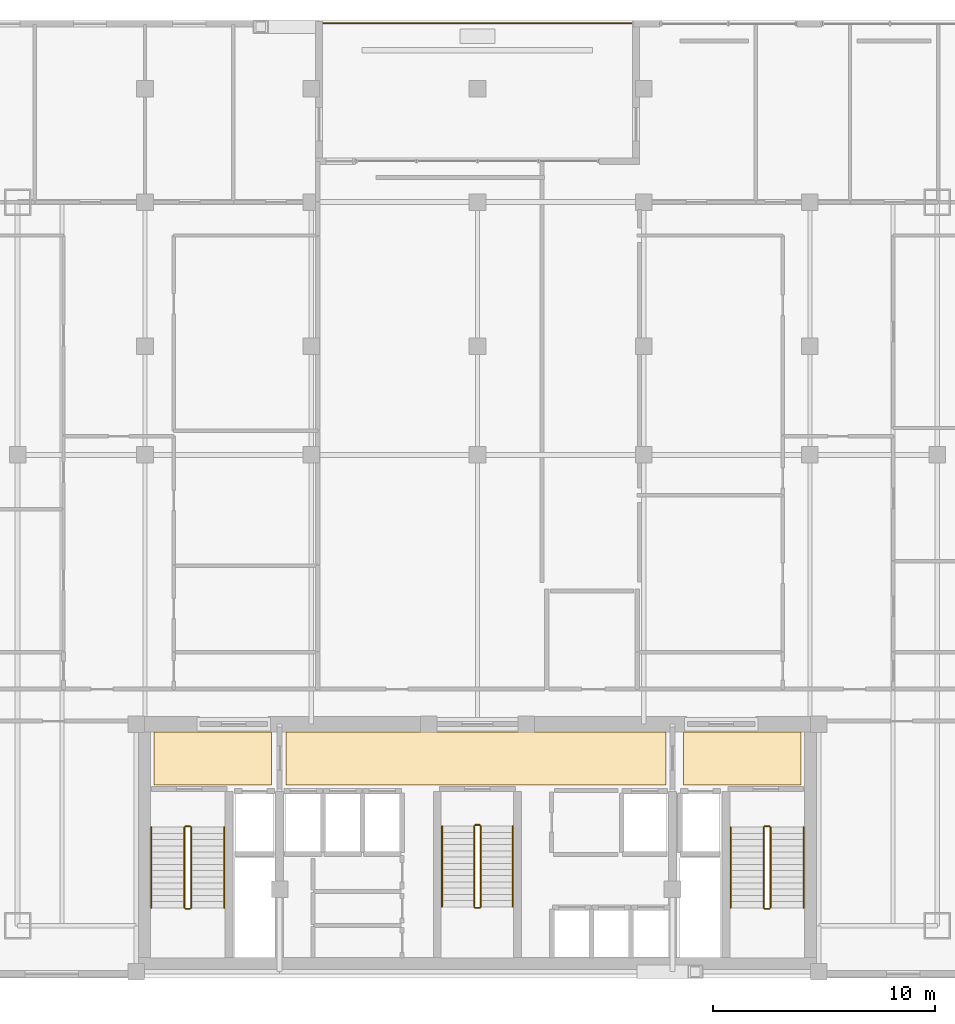
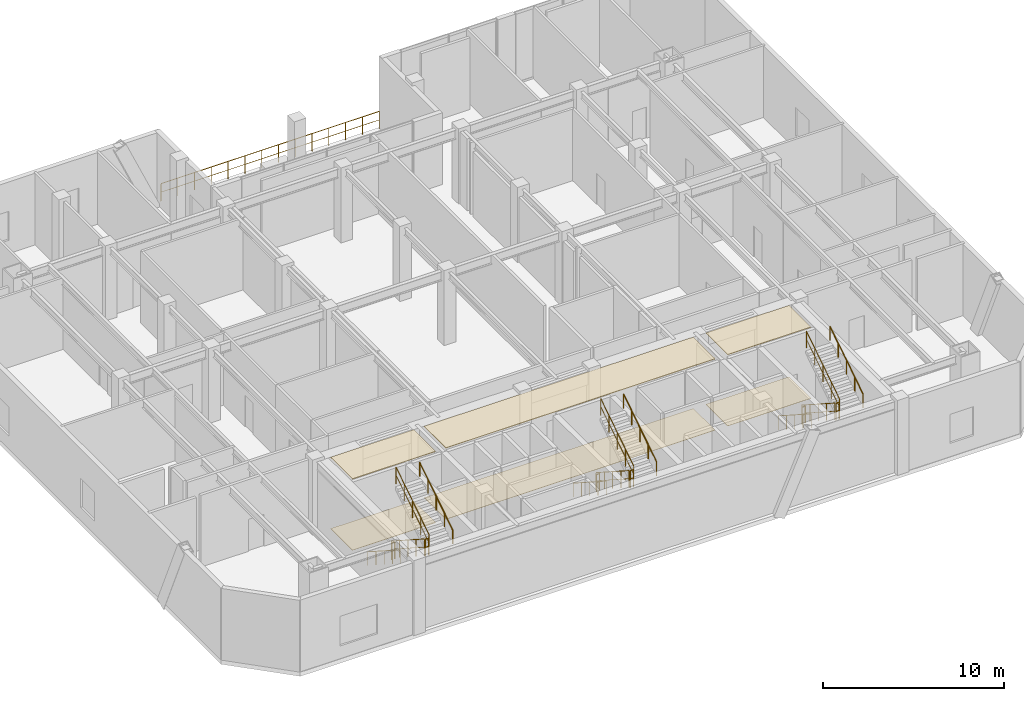
# One storey, part 11 of 11: 19 railings, 6 coverings.
"""IFC4 building model written with IfcOpenShell, lengths in metres."""

from ifc_helpers import new_model, si_unit, direction, frame, origin, origin_2d, place, context, subcontext, project, spatial, polyline, circle, outline, extrude, material, layer, layer_set, type_object, element, save


model = new_model("IFC4")

# Units and contexts
model_context = context("Model", 3, precision=1e-05, world=origin(), true_north=direction((0.0, 1.0)))
body_context = subcontext(model_context, "Body", "Model", "MODEL_VIEW")
ifc_project = project(units=[si_unit("LENGTHUNIT", "METRE"), si_unit("AREAUNIT", "SQUARE_METRE"), si_unit("VOLUMEUNIT", "CUBIC_METRE"), si_unit("PLANEANGLEUNIT", "RADIAN"), si_unit("MASSUNIT", "GRAM", prefix="KILO")], contexts=[model_context])

# Site, building, storey
site_placement = place(None, origin())
site = spatial("IfcSite", under=ifc_project, at=site_placement, CompositionType="ELEMENT")
building_placement = place(site_placement, origin())
building = spatial("IfcBuilding", under=site, at=building_placement, Name="Ventersveld Concourse Tower", CompositionType="ELEMENT")
storey_placement = place(building_placement, frame((0.0, 0.0, 140.14990234375)))
storey = spatial("IfcBuildingStorey", under=building, at=storey_placement, Name="L34", CompositionType="ELEMENT", Elevation=140.14990234375)

# Coverings
ifc_material_1 = material(Name="Mineral-fibre acoustic ceiling tile", Category="gypsum")
ifc_layer_1 = layer(ifc_material_1, 0.0400390625)
ifc_layer_set_1 = layer_set([ifc_layer_1], Name="Mineral-fibre acoustic ceiling tile")
covering_type_1 = type_object("IfcCoveringType", Name="COV-CEIL-ACOUSTIC", PredefinedType="CEILING", material=ifc_layer_set_1)
covering_1_placement = place(storey_placement, frame((0.0, 0.0, 4.7900390625)))
element("IfcCovering", 1, at=covering_1_placement, inside=storey, type_object=covering_type_1, Name="L34 North Lift Lobby Acoustic Ceiling", PredefinedType="CEILING", context=body_context, shape_type="SweptSolid", body=[
    extrude(outline(polyline([(20.10009765625, 8.699951171875), (37.25, 8.699951171875), (37.25, 11.10009765625), (20.10009765625, 11.10009765625), (20.10009765625, 8.699951171875)])), origin(), (0.0, 0.0, 1.0), 0.0400390625),
])
covering_2_placement = place(storey_placement, frame((0.0, 0.0, 4.7900390625)))
element("IfcCovering", 2, at=covering_2_placement, inside=storey, type_object=covering_type_1, Name="L34 West Firefighting Lobby Acoustic Ceiling", PredefinedType="CEILING", context=body_context, shape_type="SweptSolid", body=[
    extrude(outline(polyline([(14.14990234375, 8.699951171875), (19.449951171875, 8.699951171875), (19.449951171875, 11.10009765625), (14.14990234375, 11.10009765625), (14.14990234375, 8.699951171875)])), origin(), (0.0, 0.0, 1.0), 0.0400390625),
])
covering_3_placement = place(storey_placement, frame((0.0, 0.0, 4.7900390625)))
element("IfcCovering", 3, at=covering_3_placement, inside=storey, type_object=covering_type_1, Name="L34 East Firefighting Lobby Acoustic Ceiling", PredefinedType="CEILING", context=body_context, shape_type="SweptSolid", body=[
    extrude(outline(polyline([(38.050048828125, 8.699951171875), (43.35009765625, 8.699951171875), (43.35009765625, 11.10009765625), (38.050048828125, 11.10009765625), (38.050048828125, 8.699951171875)])), origin(), (0.0, 0.0, 1.0), 0.0400390625),
])
ifc_material_2 = material(Name="Polished Highveld granite terrazzo", Category="masonry")
ifc_layer_2 = layer(ifc_material_2, 0.02001953125)
ifc_layer_set_2 = layer_set([ifc_layer_2], Name="Polished Highveld granite terrazzo")
covering_type_2 = type_object("IfcCoveringType", Name="COV-FLOOR-TERRAZZO", PredefinedType="FLOORING", material=ifc_layer_set_2)
covering_4_placement = place(storey_placement, origin())
element("IfcCovering", 4, at=covering_4_placement, inside=storey, type_object=covering_type_2, Name="L34 North Lift Lobby Terrazzo Flooring", PredefinedType="FLOORING", context=body_context, shape_type="SweptSolid", body=[
    extrude(outline(polyline([(20.10009765625, 8.699951171875), (37.25, 8.699951171875), (37.25, 11.10009765625), (20.10009765625, 11.10009765625), (20.10009765625, 8.699951171875)])), origin(), (0.0, 0.0, 1.0), 0.02001953125),
])
covering_5_placement = place(storey_placement, origin())
element("IfcCovering", 5, at=covering_5_placement, inside=storey, type_object=covering_type_2, Name="L34 West Firefighting Lobby Terrazzo Flooring", PredefinedType="FLOORING", context=body_context, shape_type="SweptSolid", body=[
    extrude(outline(polyline([(14.14990234375, 8.699951171875), (19.449951171875, 8.699951171875), (19.449951171875, 11.10009765625), (14.14990234375, 11.10009765625), (14.14990234375, 8.699951171875)])), origin(), (0.0, 0.0, 1.0), 0.02001953125),
])
covering_6_placement = place(storey_placement, origin())
element("IfcCovering", 6, at=covering_6_placement, inside=storey, type_object=covering_type_2, Name="L34 East Firefighting Lobby Terrazzo Flooring", PredefinedType="FLOORING", context=body_context, shape_type="SweptSolid", body=[
    extrude(outline(polyline([(38.050048828125, 8.699951171875), (43.35009765625, 8.699951171875), (43.35009765625, 11.10009765625), (38.050048828125, 11.10009765625), (38.050048828125, 8.699951171875)])), origin(), (0.0, 0.0, 1.0), 0.02001953125),
])

# Railings
ifc_material_3 = material(Name="Brushed stainless steel 316", Category="steel")
railing_type_1 = type_object("IfcRailingType", Name="GD-BAL-115", PredefinedType="GUARDRAIL", material=ifc_material_3)
railing_1_placement = place(storey_placement, frame((15.530029296875, 6.800048828125, 0.180419921875)))
element("IfcRailing", 7, at=railing_1_placement, inside=storey, type_object=railing_type_1, Name="L34 ST-01 stair guard 1", PredefinedType="GUARDRAIL", context=body_context, shape_type="SweptSolid", body=[
    extrude(circle(Radius=0.02392578125, at=origin_2d()), frame((0.0, 0.0, 1.1259765625), z_axis=(0.0, -0.840690826383, 0.541515405539), x_axis=(1.0, 0.0, 0.0)), (0.0, 0.0, 1.0), 4.329833984375),
    extrude(circle(Radius=0.01611328125, at=origin_2d()), frame((0.0, 0.0, 0.574951171875), z_axis=(0.0, -0.840690826383, 0.541515405539), x_axis=(1.0, 0.0, 0.0)), (0.0, 0.0, 1.0), 4.329833984375),
    extrude(circle(Radius=0.02099609375, at=origin_2d()), origin(), (0.0, 0.0, 1.0), 1.101806640625),
    extrude(circle(Radius=0.02099609375, at=origin_2d()), frame((0.0, -0.91015625, 0.586181640625)), (0.0, 0.0, 1.0), 1.101806640625),
    extrude(circle(Radius=0.02099609375, at=origin_2d()), frame((0.0, -1.820068359375, 1.17236328125)), (0.0, 0.0, 1.0), 1.101806640625),
    extrude(circle(Radius=0.02099609375, at=origin_2d()), frame((0.0, -2.72998046875, 1.758544921875)), (0.0, 0.0, 1.0), 1.101806640625),
    extrude(circle(Radius=0.02099609375, at=origin_2d()), frame((0.0, -3.64013671875, 2.3447265625)), (0.0, 0.0, 1.0), 1.101806640625),
])
railing_2_placement = place(storey_placement, frame((15.580078125, 3.110107421875, 2.525146484375)))
element("IfcRailing", 8, at=railing_2_placement, inside=storey, type_object=railing_type_1, Name="L34 ST-01 stair guard 2", PredefinedType="GUARDRAIL", context=body_context, shape_type="SweptSolid", body=[
    extrude(circle(Radius=0.02392578125, at=origin_2d()), frame((0.0, 0.0, 1.1259765625), z_axis=(1.0, 0.0, 0.0), x_axis=(0.0, 1.0, 0.0)), (0.0, 0.0, 1.0), 0.199951171875),
    extrude(circle(Radius=0.01611328125, at=origin_2d()), frame((0.0, 0.0, 0.574951171875), z_axis=(1.0, 0.0, 0.0), x_axis=(0.0, 1.0, 0.0)), (0.0, 0.0, 1.0), 0.199951171875),
    extrude(circle(Radius=0.02099609375, at=origin_2d()), origin(), (0.0, 0.0, 1.0), 1.101806640625),
    extrude(circle(Radius=0.02099609375, at=origin_2d()), frame((0.199951171875, 0.0, 0.0)), (0.0, 0.0, 1.0), 1.101806640625),
])
railing_3_placement = place(storey_placement, frame((15.830078125, 3.159912109375, 2.70556640625)))
element("IfcRailing", 9, at=railing_3_placement, inside=storey, type_object=railing_type_1, Name="L34 ST-01 stair guard 3", PredefinedType="GUARDRAIL", context=body_context, shape_type="SweptSolid", body=[
    extrude(circle(Radius=0.02392578125, at=origin_2d()), frame((0.0, 0.0, 1.1259765625), z_axis=(0.0, 0.840716495035, 0.541475553442), x_axis=(-1.0, 0.0, 0.0)), (0.0, 0.0, 1.0), 4.329833984375),
    extrude(circle(Radius=0.01611328125, at=origin_2d()), frame((0.0, 0.0, 0.574951171875), z_axis=(0.0, 0.840716495035, 0.541475553442), x_axis=(-1.0, 0.0, 0.0)), (0.0, 0.0, 1.0), 4.329833984375),
    extrude(circle(Radius=0.02099609375, at=origin_2d()), origin(), (0.0, 0.0, 1.0), 1.101806640625),
    extrude(circle(Radius=0.02099609375, at=origin_2d()), frame((0.0, 0.91015625, 0.586181640625)), (0.0, 0.0, 1.0), 1.101806640625),
    extrude(circle(Radius=0.02099609375, at=origin_2d()), frame((0.0, 1.820068359375, 1.17236328125)), (0.0, 0.0, 1.0), 1.101806640625),
    extrude(circle(Radius=0.02099609375, at=origin_2d()), frame((0.0, 2.72998046875, 1.75830078125)), (0.0, 0.0, 1.0), 1.101806640625),
    extrude(circle(Radius=0.02099609375, at=origin_2d()), frame((0.0, 3.64013671875, 2.344482421875)), (0.0, 0.0, 1.0), 1.101806640625),
])
railing_4_placement = place(storey_placement, frame((15.580078125, 6.85009765625, 0.0)))
element("IfcRailing", 10, at=railing_4_placement, inside=storey, type_object=railing_type_1, Name="L34 ST-01 stair guard 4", PredefinedType="GUARDRAIL", context=body_context, shape_type="SweptSolid", body=[
    extrude(circle(Radius=0.02392578125, at=origin_2d()), frame((0.0, 0.0, 1.1259765625), z_axis=(1.0, 0.0, 0.0), x_axis=(0.0, 1.0, 0.0)), (0.0, 0.0, 1.0), 0.199951171875),
    extrude(circle(Radius=0.01611328125, at=origin_2d()), frame((0.0, 0.0, 0.574951171875), z_axis=(1.0, 0.0, 0.0), x_axis=(0.0, 1.0, 0.0)), (0.0, 0.0, 1.0), 0.199951171875),
    extrude(circle(Radius=0.02099609375, at=origin_2d()), origin(), (0.0, 0.0, 1.0), 1.101806640625),
    extrude(circle(Radius=0.02099609375, at=origin_2d()), frame((0.199951171875, 0.0, 0.0)), (0.0, 0.0, 1.0), 1.101806640625),
])
railing_5_placement = place(storey_placement, frame((41.669921875, 6.800048828125, 0.180419921875)))
element("IfcRailing", 11, at=railing_5_placement, inside=storey, type_object=railing_type_1, Name="L34 ST-02 stair guard 1", PredefinedType="GUARDRAIL", context=body_context, shape_type="SweptSolid", body=[
    extrude(circle(Radius=0.02392578125, at=origin_2d()), frame((0.0, 0.0, 1.1259765625), z_axis=(0.0, -0.840690826383, 0.541515405539), x_axis=(1.0, 0.0, 0.0)), (0.0, 0.0, 1.0), 4.329833984375),
    extrude(circle(Radius=0.01611328125, at=origin_2d()), frame((0.0, 0.0, 0.574951171875), z_axis=(0.0, -0.840690826383, 0.541515405539), x_axis=(1.0, 0.0, 0.0)), (0.0, 0.0, 1.0), 4.329833984375),
    extrude(circle(Radius=0.02099609375, at=origin_2d()), origin(), (0.0, 0.0, 1.0), 1.101806640625),
    extrude(circle(Radius=0.02099609375, at=origin_2d()), frame((0.0, -0.91015625, 0.586181640625)), (0.0, 0.0, 1.0), 1.101806640625),
    extrude(circle(Radius=0.02099609375, at=origin_2d()), frame((0.0, -1.820068359375, 1.17236328125)), (0.0, 0.0, 1.0), 1.101806640625),
    extrude(circle(Radius=0.02099609375, at=origin_2d()), frame((0.0, -2.72998046875, 1.758544921875)), (0.0, 0.0, 1.0), 1.101806640625),
    extrude(circle(Radius=0.02099609375, at=origin_2d()), frame((0.0, -3.64013671875, 2.3447265625)), (0.0, 0.0, 1.0), 1.101806640625),
])
railing_6_placement = place(storey_placement, frame((41.719970703125, 3.110107421875, 2.525146484375)))
element("IfcRailing", 12, at=railing_6_placement, inside=storey, type_object=railing_type_1, Name="L34 ST-02 stair guard 2", PredefinedType="GUARDRAIL", context=body_context, shape_type="SweptSolid", body=[
    extrude(circle(Radius=0.02392578125, at=origin_2d()), frame((0.0, 0.0, 1.1259765625), z_axis=(1.0, 0.0, 0.0), x_axis=(0.0, 1.0, 0.0)), (0.0, 0.0, 1.0), 0.199951171875),
    extrude(circle(Radius=0.01611328125, at=origin_2d()), frame((0.0, 0.0, 0.574951171875), z_axis=(1.0, 0.0, 0.0), x_axis=(0.0, 1.0, 0.0)), (0.0, 0.0, 1.0), 0.199951171875),
    extrude(circle(Radius=0.02099609375, at=origin_2d()), origin(), (0.0, 0.0, 1.0), 1.101806640625),
    extrude(circle(Radius=0.02099609375, at=origin_2d()), frame((0.199951171875, 0.0, 0.0)), (0.0, 0.0, 1.0), 1.101806640625),
])
railing_7_placement = place(storey_placement, frame((41.969970703125, 3.159912109375, 2.70556640625)))
element("IfcRailing", 13, at=railing_7_placement, inside=storey, type_object=railing_type_1, Name="L34 ST-02 stair guard 3", PredefinedType="GUARDRAIL", context=body_context, shape_type="SweptSolid", body=[
    extrude(circle(Radius=0.02392578125, at=origin_2d()), frame((0.0, 0.0, 1.1259765625), z_axis=(0.0, 0.840716495035, 0.541475553442), x_axis=(-1.0, 0.0, 0.0)), (0.0, 0.0, 1.0), 4.329833984375),
    extrude(circle(Radius=0.01611328125, at=origin_2d()), frame((0.0, 0.0, 0.574951171875), z_axis=(0.0, 0.840716495035, 0.541475553442), x_axis=(-1.0, 0.0, 0.0)), (0.0, 0.0, 1.0), 4.329833984375),
    extrude(circle(Radius=0.02099609375, at=origin_2d()), origin(), (0.0, 0.0, 1.0), 1.101806640625),
    extrude(circle(Radius=0.02099609375, at=origin_2d()), frame((0.0, 0.91015625, 0.586181640625)), (0.0, 0.0, 1.0), 1.101806640625),
    extrude(circle(Radius=0.02099609375, at=origin_2d()), frame((0.0, 1.820068359375, 1.17236328125)), (0.0, 0.0, 1.0), 1.101806640625),
    extrude(circle(Radius=0.02099609375, at=origin_2d()), frame((0.0, 2.72998046875, 1.75830078125)), (0.0, 0.0, 1.0), 1.101806640625),
    extrude(circle(Radius=0.02099609375, at=origin_2d()), frame((0.0, 3.64013671875, 2.344482421875)), (0.0, 0.0, 1.0), 1.101806640625),
])
railing_8_placement = place(storey_placement, frame((41.719970703125, 6.85009765625, 0.0)))
element("IfcRailing", 14, at=railing_8_placement, inside=storey, type_object=railing_type_1, Name="L34 ST-02 stair guard 4", PredefinedType="GUARDRAIL", context=body_context, shape_type="SweptSolid", body=[
    extrude(circle(Radius=0.02392578125, at=origin_2d()), frame((0.0, 0.0, 1.1259765625), z_axis=(1.0, 0.0, 0.0), x_axis=(0.0, 1.0, 0.0)), (0.0, 0.0, 1.0), 0.199951171875),
    extrude(circle(Radius=0.01611328125, at=origin_2d()), frame((0.0, 0.0, 0.574951171875), z_axis=(1.0, 0.0, 0.0), x_axis=(0.0, 1.0, 0.0)), (0.0, 0.0, 1.0), 0.199951171875),
    extrude(circle(Radius=0.02099609375, at=origin_2d()), origin(), (0.0, 0.0, 1.0), 1.101806640625),
    extrude(circle(Radius=0.02099609375, at=origin_2d()), frame((0.199951171875, 0.0, 0.0)), (0.0, 0.0, 1.0), 1.101806640625),
])
railing_9_placement = place(storey_placement, frame((28.60009765625, 6.85009765625, 0.180419921875)))
element("IfcRailing", 15, at=railing_9_placement, inside=storey, type_object=railing_type_1, Name="L34 ST-03 stair guard 1", PredefinedType="GUARDRAIL", context=body_context, shape_type="SweptSolid", body=[
    extrude(circle(Radius=0.02392578125, at=origin_2d()), frame((0.0, 0.0, 1.1259765625), z_axis=(0.0, -0.840690826383, 0.541515405539), x_axis=(1.0, 0.0, 0.0)), (0.0, 0.0, 1.0), 4.329833984375),
    extrude(circle(Radius=0.01611328125, at=origin_2d()), frame((0.0, 0.0, 0.574951171875), z_axis=(0.0, -0.840690826383, 0.541515405539), x_axis=(1.0, 0.0, 0.0)), (0.0, 0.0, 1.0), 4.329833984375),
    extrude(circle(Radius=0.02099609375, at=origin_2d()), origin(), (0.0, 0.0, 1.0), 1.101806640625),
    extrude(circle(Radius=0.02099609375, at=origin_2d()), frame((0.0, -0.91015625, 0.586181640625)), (0.0, 0.0, 1.0), 1.101806640625),
    extrude(circle(Radius=0.02099609375, at=origin_2d()), frame((0.0, -1.820068359375, 1.17236328125)), (0.0, 0.0, 1.0), 1.101806640625),
    extrude(circle(Radius=0.02099609375, at=origin_2d()), frame((0.0, -2.72998046875, 1.758544921875)), (0.0, 0.0, 1.0), 1.101806640625),
    extrude(circle(Radius=0.02099609375, at=origin_2d()), frame((0.0, -3.64013671875, 2.3447265625)), (0.0, 0.0, 1.0), 1.101806640625),
])
railing_10_placement = place(storey_placement, frame((28.64990234375, 3.159912109375, 2.525146484375)))
element("IfcRailing", 16, at=railing_10_placement, inside=storey, type_object=railing_type_1, Name="L34 ST-03 stair guard 2", PredefinedType="GUARDRAIL", context=body_context, shape_type="SweptSolid", body=[
    extrude(circle(Radius=0.02392578125, at=origin_2d()), frame((0.0, 0.0, 1.1259765625), z_axis=(1.0, 0.0, 0.0), x_axis=(0.0, 1.0, 0.0)), (0.0, 0.0, 1.0), 0.2001953125),
    extrude(circle(Radius=0.01611328125, at=origin_2d()), frame((0.0, 0.0, 0.574951171875), z_axis=(1.0, 0.0, 0.0), x_axis=(0.0, 1.0, 0.0)), (0.0, 0.0, 1.0), 0.2001953125),
    extrude(circle(Radius=0.02099609375, at=origin_2d()), origin(), (0.0, 0.0, 1.0), 1.101806640625),
    extrude(circle(Radius=0.02099609375, at=origin_2d()), frame((0.2001953125, 0.0, 0.0)), (0.0, 0.0, 1.0), 1.101806640625),
])
railing_11_placement = place(storey_placement, frame((28.89990234375, 3.2099609375, 2.70556640625)))
element("IfcRailing", 17, at=railing_11_placement, inside=storey, type_object=railing_type_1, Name="L34 ST-03 stair guard 3", PredefinedType="GUARDRAIL", context=body_context, shape_type="SweptSolid", body=[
    extrude(circle(Radius=0.02392578125, at=origin_2d()), frame((0.0, 0.0, 1.1259765625), z_axis=(0.0, 0.840716495035, 0.541475553442), x_axis=(-1.0, 0.0, 0.0)), (0.0, 0.0, 1.0), 4.329833984375),
    extrude(circle(Radius=0.01611328125, at=origin_2d()), frame((0.0, 0.0, 0.574951171875), z_axis=(0.0, 0.840716495035, 0.541475553442), x_axis=(-1.0, 0.0, 0.0)), (0.0, 0.0, 1.0), 4.329833984375),
    extrude(circle(Radius=0.02099609375, at=origin_2d()), origin(), (0.0, 0.0, 1.0), 1.101806640625),
    extrude(circle(Radius=0.02099609375, at=origin_2d()), frame((0.0, 0.91015625, 0.586181640625)), (0.0, 0.0, 1.0), 1.101806640625),
    extrude(circle(Radius=0.02099609375, at=origin_2d()), frame((0.0, 1.820068359375, 1.17236328125)), (0.0, 0.0, 1.0), 1.101806640625),
    extrude(circle(Radius=0.02099609375, at=origin_2d()), frame((0.0, 2.72998046875, 1.75830078125)), (0.0, 0.0, 1.0), 1.101806640625),
    extrude(circle(Radius=0.02099609375, at=origin_2d()), frame((0.0, 3.64013671875, 2.344482421875)), (0.0, 0.0, 1.0), 1.101806640625),
])
railing_12_placement = place(storey_placement, frame((28.64990234375, 6.89990234375, 0.0)))
element("IfcRailing", 18, at=railing_12_placement, inside=storey, type_object=railing_type_1, Name="L34 ST-03 stair guard 4", PredefinedType="GUARDRAIL", context=body_context, shape_type="SweptSolid", body=[
    extrude(circle(Radius=0.02392578125, at=origin_2d()), frame((0.0, 0.0, 1.1259765625), z_axis=(1.0, 0.0, 0.0), x_axis=(0.0, 1.0, 0.0)), (0.0, 0.0, 1.0), 0.2001953125),
    extrude(circle(Radius=0.01611328125, at=origin_2d()), frame((0.0, 0.0, 0.574951171875), z_axis=(1.0, 0.0, 0.0), x_axis=(0.0, 1.0, 0.0)), (0.0, 0.0, 1.0), 0.2001953125),
    extrude(circle(Radius=0.02099609375, at=origin_2d()), origin(), (0.0, 0.0, 1.0), 1.101806640625),
    extrude(circle(Radius=0.02099609375, at=origin_2d()), frame((0.2001953125, 0.0, 0.0)), (0.0, 0.0, 1.0), 1.101806640625),
])
railing_type_2 = type_object("IfcRailingType", Name="GD-TER-120", PredefinedType="GUARDRAIL", material=ifc_material_3)
railing_13_placement = place(storey_placement, frame((21.800048828125, 43.080078125, 0.0)))
element("IfcRailing", 19, at=railing_13_placement, inside=storey, type_object=railing_type_2, Name="L34 Outdoor Terrace Guardrail SKYGARDEN", PredefinedType="GUARDRAIL", context=body_context, shape_type="SweptSolid", body=[
    extrude(circle(Radius=0.02392578125, at=origin_2d()), frame((0.0, 0.0, 1.17578125), z_axis=(1.0, 0.0, 0.0), x_axis=(0.0, 1.0, 0.0)), (0.0, 0.0, 1.0), 13.89990234375),
    extrude(circle(Radius=0.01611328125, at=origin_2d()), frame((0.0, 0.0, 0.60009765625), z_axis=(1.0, 0.0, 0.0), x_axis=(0.0, 1.0, 0.0)), (0.0, 0.0, 1.0), 13.89990234375),
    extrude(circle(Radius=0.02099609375, at=origin_2d()), origin(), (0.0, 0.0, 1.0), 1.15185546875),
    extrude(circle(Radius=0.02099609375, at=origin_2d()), frame((1.0693359375, 0.0, 0.0)), (0.0, 0.0, 1.0), 1.15185546875),
    extrude(circle(Radius=0.02099609375, at=origin_2d()), frame((2.138427734375, 0.0, 0.0)), (0.0, 0.0, 1.0), 1.15185546875),
    extrude(circle(Radius=0.02099609375, at=origin_2d()), frame((3.207763671875, 0.0, 0.0)), (0.0, 0.0, 1.0), 1.15185546875),
    extrude(circle(Radius=0.02099609375, at=origin_2d()), frame((4.27685546875, 0.0, 0.0)), (0.0, 0.0, 1.0), 1.15185546875),
    extrude(circle(Radius=0.02099609375, at=origin_2d()), frame((5.34619140625, 0.0, 0.0)), (0.0, 0.0, 1.0), 1.15185546875),
    extrude(circle(Radius=0.02099609375, at=origin_2d()), frame((6.415283203125, 0.0, 0.0)), (0.0, 0.0, 1.0), 1.15185546875),
    extrude(circle(Radius=0.02099609375, at=origin_2d()), frame((7.484619140625, 0.0, 0.0)), (0.0, 0.0, 1.0), 1.15185546875),
    extrude(circle(Radius=0.02099609375, at=origin_2d()), frame((8.5537109375, 0.0, 0.0)), (0.0, 0.0, 1.0), 1.15185546875),
    extrude(circle(Radius=0.02099609375, at=origin_2d()), frame((9.623046875, 0.0, 0.0)), (0.0, 0.0, 1.0), 1.15185546875),
    extrude(circle(Radius=0.02099609375, at=origin_2d()), frame((10.692138671875, 0.0, 0.0)), (0.0, 0.0, 1.0), 1.15185546875),
    extrude(circle(Radius=0.02099609375, at=origin_2d()), frame((11.761474609375, 0.0, 0.0)), (0.0, 0.0, 1.0), 1.15185546875),
    extrude(circle(Radius=0.02099609375, at=origin_2d()), frame((12.83056640625, 0.0, 0.0)), (0.0, 0.0, 1.0), 1.15185546875),
    extrude(circle(Radius=0.02099609375, at=origin_2d()), frame((13.89990234375, 0.0, 0.0)), (0.0, 0.0, 1.0), 1.15185546875),
])
railing_type_3 = type_object("IfcRailingType", Name="HR-RMP-095", PredefinedType="HANDRAIL", material=ifc_material_3)
railing_14_placement = place(storey_placement, frame((14.030029296875, 6.800048828125, 0.180419921875)))
element("IfcRailing", 20, at=railing_14_placement, inside=storey, type_object=railing_type_3, Name="L34 ST-01 stair handrail 1", PredefinedType="HANDRAIL", context=body_context, shape_type="SweptSolid", body=[
    extrude(circle(Radius=0.02392578125, at=origin_2d()), frame((0.0, 0.0, 0.92578125), z_axis=(0.0, -0.840690826383, 0.541515405539), x_axis=(1.0, 0.0, 0.0)), (0.0, 0.0, 1.0), 4.329833984375),
    extrude(circle(Radius=0.02099609375, at=origin_2d()), origin(), (0.0, 0.0, 1.0), 0.90185546875),
    extrude(circle(Radius=0.02099609375, at=origin_2d()), frame((0.0, -0.91015625, 0.586181640625)), (0.0, 0.0, 1.0), 0.90185546875),
    extrude(circle(Radius=0.02099609375, at=origin_2d()), frame((0.0, -1.820068359375, 1.17236328125)), (0.0, 0.0, 1.0), 0.90185546875),
    extrude(circle(Radius=0.02099609375, at=origin_2d()), frame((0.0, -2.72998046875, 1.758544921875)), (0.0, 0.0, 1.0), 0.90185546875),
    extrude(circle(Radius=0.02099609375, at=origin_2d()), frame((0.0, -3.64013671875, 2.3447265625)), (0.0, 0.0, 1.0), 0.90185546875),
])
railing_15_placement = place(storey_placement, frame((17.330078125, 3.159912109375, 2.70556640625)))
element("IfcRailing", 21, at=railing_15_placement, inside=storey, type_object=railing_type_3, Name="L34 ST-01 stair handrail 2", PredefinedType="HANDRAIL", context=body_context, shape_type="SweptSolid", body=[
    extrude(circle(Radius=0.02392578125, at=origin_2d()), frame((0.0, 0.0, 0.92578125), z_axis=(0.0, 0.840716495035, 0.541475553442), x_axis=(-1.0, 0.0, 0.0)), (0.0, 0.0, 1.0), 4.329833984375),
    extrude(circle(Radius=0.02099609375, at=origin_2d()), origin(), (0.0, 0.0, 1.0), 0.90185546875),
    extrude(circle(Radius=0.02099609375, at=origin_2d()), frame((0.0, 0.91015625, 0.586181640625)), (0.0, 0.0, 1.0), 0.90185546875),
    extrude(circle(Radius=0.02099609375, at=origin_2d()), frame((0.0, 1.820068359375, 1.17236328125)), (0.0, 0.0, 1.0), 0.90185546875),
    extrude(circle(Radius=0.02099609375, at=origin_2d()), frame((0.0, 2.72998046875, 1.75830078125)), (0.0, 0.0, 1.0), 0.90185546875),
    extrude(circle(Radius=0.02099609375, at=origin_2d()), frame((0.0, 3.64013671875, 2.344482421875)), (0.0, 0.0, 1.0), 0.90185546875),
])
railing_16_placement = place(storey_placement, frame((40.169921875, 6.800048828125, 0.180419921875)))
element("IfcRailing", 22, at=railing_16_placement, inside=storey, type_object=railing_type_3, Name="L34 ST-02 stair handrail 1", PredefinedType="HANDRAIL", context=body_context, shape_type="SweptSolid", body=[
    extrude(circle(Radius=0.02392578125, at=origin_2d()), frame((0.0, 0.0, 0.92578125), z_axis=(0.0, -0.840690826383, 0.541515405539), x_axis=(1.0, 0.0, 0.0)), (0.0, 0.0, 1.0), 4.329833984375),
    extrude(circle(Radius=0.02099609375, at=origin_2d()), origin(), (0.0, 0.0, 1.0), 0.90185546875),
    extrude(circle(Radius=0.02099609375, at=origin_2d()), frame((0.0, -0.91015625, 0.586181640625)), (0.0, 0.0, 1.0), 0.90185546875),
    extrude(circle(Radius=0.02099609375, at=origin_2d()), frame((0.0, -1.820068359375, 1.17236328125)), (0.0, 0.0, 1.0), 0.90185546875),
    extrude(circle(Radius=0.02099609375, at=origin_2d()), frame((0.0, -2.72998046875, 1.758544921875)), (0.0, 0.0, 1.0), 0.90185546875),
    extrude(circle(Radius=0.02099609375, at=origin_2d()), frame((0.0, -3.64013671875, 2.3447265625)), (0.0, 0.0, 1.0), 0.90185546875),
])
railing_17_placement = place(storey_placement, frame((43.469970703125, 3.159912109375, 2.70556640625)))
element("IfcRailing", 23, at=railing_17_placement, inside=storey, type_object=railing_type_3, Name="L34 ST-02 stair handrail 2", PredefinedType="HANDRAIL", context=body_context, shape_type="SweptSolid", body=[
    extrude(circle(Radius=0.02392578125, at=origin_2d()), frame((0.0, 0.0, 0.92578125), z_axis=(0.0, 0.840716495035, 0.541475553442), x_axis=(-1.0, 0.0, 0.0)), (0.0, 0.0, 1.0), 4.329833984375),
    extrude(circle(Radius=0.02099609375, at=origin_2d()), origin(), (0.0, 0.0, 1.0), 0.90185546875),
    extrude(circle(Radius=0.02099609375, at=origin_2d()), frame((0.0, 0.91015625, 0.586181640625)), (0.0, 0.0, 1.0), 0.90185546875),
    extrude(circle(Radius=0.02099609375, at=origin_2d()), frame((0.0, 1.820068359375, 1.17236328125)), (0.0, 0.0, 1.0), 0.90185546875),
    extrude(circle(Radius=0.02099609375, at=origin_2d()), frame((0.0, 2.72998046875, 1.75830078125)), (0.0, 0.0, 1.0), 0.90185546875),
    extrude(circle(Radius=0.02099609375, at=origin_2d()), frame((0.0, 3.64013671875, 2.344482421875)), (0.0, 0.0, 1.0), 0.90185546875),
])
railing_18_placement = place(storey_placement, frame((27.14990234375, 6.85009765625, 0.180419921875)))
element("IfcRailing", 24, at=railing_18_placement, inside=storey, type_object=railing_type_3, Name="L34 ST-03 stair handrail 1", PredefinedType="HANDRAIL", context=body_context, shape_type="SweptSolid", body=[
    extrude(circle(Radius=0.02392578125, at=origin_2d()), frame((0.0, 0.0, 0.92578125), z_axis=(0.0, -0.840690826383, 0.541515405539), x_axis=(1.0, 0.0, 0.0)), (0.0, 0.0, 1.0), 4.329833984375),
    extrude(circle(Radius=0.02099609375, at=origin_2d()), origin(), (0.0, 0.0, 1.0), 0.90185546875),
    extrude(circle(Radius=0.02099609375, at=origin_2d()), frame((0.0, -0.91015625, 0.586181640625)), (0.0, 0.0, 1.0), 0.90185546875),
    extrude(circle(Radius=0.02099609375, at=origin_2d()), frame((0.0, -1.820068359375, 1.17236328125)), (0.0, 0.0, 1.0), 0.90185546875),
    extrude(circle(Radius=0.02099609375, at=origin_2d()), frame((0.0, -2.72998046875, 1.758544921875)), (0.0, 0.0, 1.0), 0.90185546875),
    extrude(circle(Radius=0.02099609375, at=origin_2d()), frame((0.0, -3.64013671875, 2.3447265625)), (0.0, 0.0, 1.0), 0.90185546875),
])
railing_19_placement = place(storey_placement, frame((30.35009765625, 3.2099609375, 2.70556640625)))
element("IfcRailing", 25, at=railing_19_placement, inside=storey, type_object=railing_type_3, Name="L34 ST-03 stair handrail 2", PredefinedType="HANDRAIL", context=body_context, shape_type="SweptSolid", body=[
    extrude(circle(Radius=0.02392578125, at=origin_2d()), frame((0.0, 0.0, 0.92578125), z_axis=(0.0, 0.840716495035, 0.541475553442), x_axis=(-1.0, 0.0, 0.0)), (0.0, 0.0, 1.0), 4.329833984375),
    extrude(circle(Radius=0.02099609375, at=origin_2d()), origin(), (0.0, 0.0, 1.0), 0.90185546875),
    extrude(circle(Radius=0.02099609375, at=origin_2d()), frame((0.0, 0.91015625, 0.586181640625)), (0.0, 0.0, 1.0), 0.90185546875),
    extrude(circle(Radius=0.02099609375, at=origin_2d()), frame((0.0, 1.820068359375, 1.17236328125)), (0.0, 0.0, 1.0), 0.90185546875),
    extrude(circle(Radius=0.02099609375, at=origin_2d()), frame((0.0, 2.72998046875, 1.75830078125)), (0.0, 0.0, 1.0), 0.90185546875),
    extrude(circle(Radius=0.02099609375, at=origin_2d()), frame((0.0, 3.64013671875, 2.344482421875)), (0.0, 0.0, 1.0), 0.90185546875),
])

save(model, "model.ifc")
